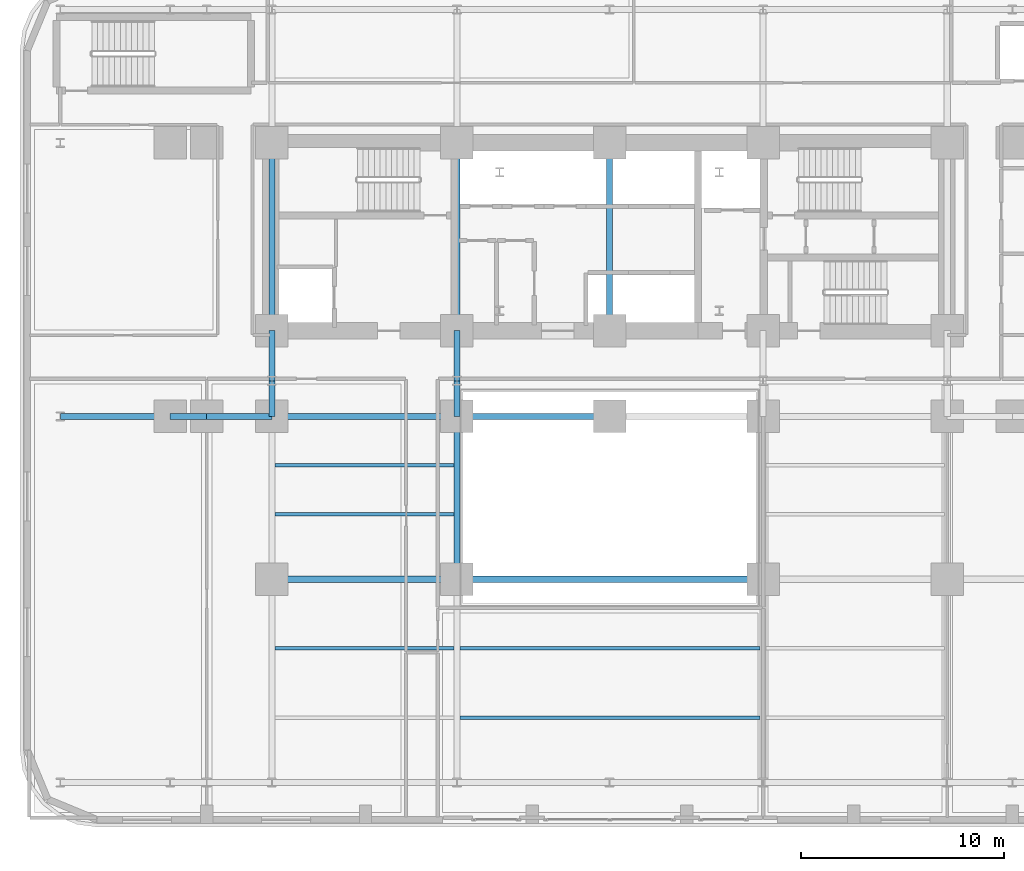
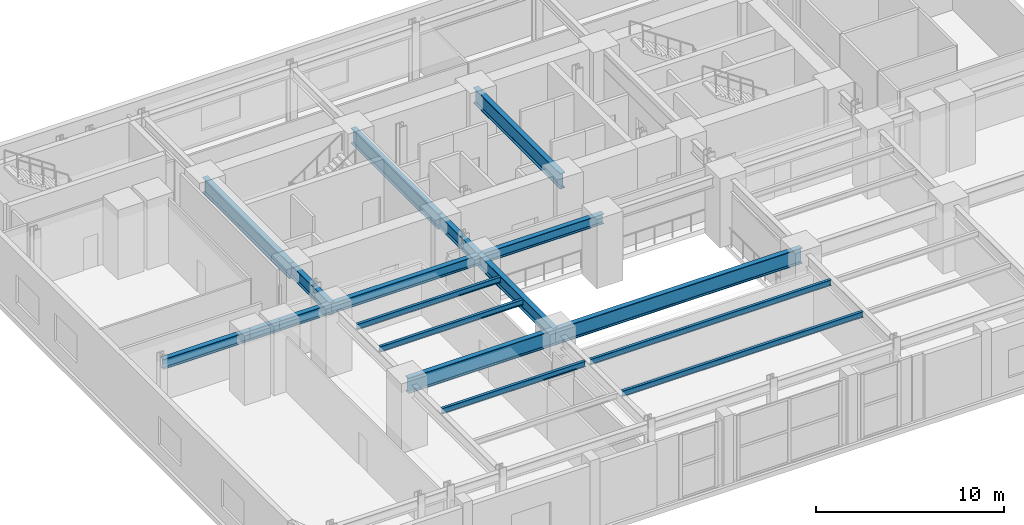
# One storey, part 3 of 14: 20 beams.
"""IFC4 building model written with IfcOpenShell, lengths in metres."""

import ifcopenshell
import ifcopenshell.guid

model = None  # the IFC model being written
_history = None  # IfcOwnerHistory: only IFC2X3 demands one
_inside = {}  # id of a spatial element -> (the spatial element, [elements in it])
_under = {}  # id of a project, library or spatial element -> (it, [spatial elements below it])
_declared = {}  # id of a project -> (the project, [libraries it declares])
_typed = {}  # id of a type object -> (the type object, [elements of that type])
_made_of = {}  # id of a material, layer set ... -> (it, [elements and type objects made of it])


def new_model(schema):
    """Start an empty IFC model of exactly this schema.

    Asked for "IFC4X3", IfcOpenShell would pick the latest addendum, in which some entities
    have other attributes; the version numbers below select the first issue.
    IFC2X3 requires an IfcOwnerHistory on every rooted entity: one is made here for all.
    """
    global model, _history
    if schema == "IFC4X3":
        model = ifcopenshell.file(schema_version=(4, 3, 0, 0))
    else:
        model = ifcopenshell.file(schema=schema)
    _inside.clear()
    _under.clear()
    _declared.clear()
    _typed.clear()
    _made_of.clear()
    _history = None
    if model.schema == "IFC2X3":
        org = make("IfcOrganization", Name="unknown")
        user = make(
            "IfcPersonAndOrganization",
            ThePerson=make("IfcPerson", FamilyName="unknown"),
            TheOrganization=org,
        )
        app = make(
            "IfcApplication",
            ApplicationDeveloper=org,
            Version="unknown",
            ApplicationFullName="unknown",
            ApplicationIdentifier="unknown",
        )
        _history = make(
            "IfcOwnerHistory",
            OwningUser=user,
            OwningApplication=app,
            ChangeAction="ADDED",
            CreationDate=0,
        )
    return model


def make(cls, **values):
    """One entity of the class cls with the attributes given. An attribute that is None is left unset."""
    return model.create_entity(
        cls, **{name: value for name, value in values.items() if value is not None}
    )


def rooted(cls, **values):
    """An entity with a GlobalId (a new one), such as an element, a storey or a relation."""
    return make(cls, GlobalId=ifcopenshell.guid.new(), OwnerHistory=_history, **values)


def si_unit(unit_type, name, prefix=None):
    """IfcSIUnit, for example si_unit("LENGTHUNIT", "METRE", prefix="MILLI")."""
    return make("IfcSIUnit", UnitType=unit_type, Prefix=prefix, Name=name)


def assignment(units):
    """IfcUnitAssignment: the units of a project."""
    return None if units is None else make("IfcUnitAssignment", Units=units)


def point(xyz):
    """IfcCartesianPoint."""
    return None if xyz is None else make("IfcCartesianPoint", Coordinates=xyz)


def direction(xyz):
    """IfcDirection."""
    return None if xyz is None else make("IfcDirection", DirectionRatios=xyz)


def frame(location, z_axis=None, x_axis=None):
    """IfcAxis2Placement3D, a coordinate frame: its origin and axes. An axis left out is left unset."""
    return make(
        "IfcAxis2Placement3D",
        Location=point(location),
        Axis=direction(z_axis),
        RefDirection=direction(x_axis),
    )


def frame_2d(location, x_axis=None):
    """IfcAxis2Placement2D, a coordinate frame in the plane: its origin and x axis."""
    return make(
        "IfcAxis2Placement2D", Location=point(location), RefDirection=direction(x_axis)
    )


def origin():
    """The frame at (0, 0, 0) with its axes left unset."""
    return frame((0.0, 0.0, 0.0))


def origin_2d():
    """The frame at (0, 0) in the plane with its x axis left unset."""
    return frame_2d((0.0, 0.0))


def place(relative_to, where):
    """IfcLocalPlacement: puts the frame where relative to a parent placement (None: the world)."""
    return make(
        "IfcLocalPlacement", PlacementRelTo=relative_to, RelativePlacement=where
    )


def context(
    kind, dimensions, precision=None, world=None, true_north=None, identifier=None
):
    """IfcGeometricRepresentationContext, for example the 3D "Model" context."""
    return make(
        "IfcGeometricRepresentationContext",
        ContextIdentifier=identifier,
        ContextType=kind,
        CoordinateSpaceDimension=dimensions,
        Precision=precision,
        WorldCoordinateSystem=world,
        TrueNorth=true_north,
    )


def subcontext(parent, identifier, kind, view, scale=None):
    """IfcGeometricRepresentationSubContext, for example "Body" below "Model"."""
    return make(
        "IfcGeometricRepresentationSubContext",
        ContextIdentifier=identifier,
        ContextType=kind,
        ParentContext=parent,
        TargetScale=scale,
        TargetView=view,
    )


def project(units=None, contexts=None):
    """IfcProject with its units and contexts."""
    return rooted(
        "IfcProject",
        Name="project",
        RepresentationContexts=contexts,
        UnitsInContext=assignment(units),
    )


def spatial(cls, under=None, at=None, **own):
    """A site, building, storey or space (cls), placed at a placement, below another one or the project."""
    s = rooted(cls, ObjectPlacement=at, **own)
    if under is not None:
        _under.setdefault(under.id(), (under, []))[1].append(s)
    return s


def profile(cls, at=None, kind="AREA", **sizes):
    """A parametric profile (cls). Its sizes go by their IFC names, for example OverallWidth=200.0."""
    return make(cls, ProfileType=kind, Position=at, **sizes)


def i_section(**sizes):
    """IfcIShapeProfileDef."""
    return profile("IfcIShapeProfileDef", **sizes)


def extrude(swept, where, along, depth):
    """IfcExtrudedAreaSolid: the profile swept, set in the frame where, extruded along a direction by depth."""
    return make(
        "IfcExtrudedAreaSolid",
        SweptArea=swept,
        Position=where,
        ExtrudedDirection=direction(along),
        Depth=depth,
    )


def shape(context_of_items, identifier, shape_type, items):
    """IfcShapeRepresentation: the items that make up one representation, for example the "Body"."""
    return make(
        "IfcShapeRepresentation",
        ContextOfItems=context_of_items,
        RepresentationIdentifier=identifier,
        RepresentationType=shape_type,
        Items=items,
    )


def material(Name=None, Category=None):
    """IfcMaterial."""
    return make("IfcMaterial", Name=Name, Category=Category)


def material_profile(
    of_material, cross_section, Name=None, Category=None, Priority=None
):
    """IfcMaterialProfile: a cross section and its material."""
    return make(
        "IfcMaterialProfile",
        Name=Name,
        Material=of_material,
        Profile=cross_section,
        Priority=Priority,
        Category=Category,
    )


def profile_set(profiles, Name=None, composite=None):
    """IfcMaterialProfileSet."""
    return make(
        "IfcMaterialProfileSet",
        Name=Name,
        MaterialProfiles=profiles,
        CompositeProfile=composite,
    )


def made_of(thing, what):
    """Note that an element or type object is made of a material, layer set ...; save() writes the relation."""
    if what is not None:
        _made_of.setdefault(what.id(), (what, []))[1].append(thing)
    return thing


def type_object(cls, material=None, **own):
    """A type object (cls), such as IfcWallType, which elements share."""
    return made_of(rooted(cls, **own), material)


def element(
    cls,
    number,
    at=None,
    inside=None,
    cuts=None,
    type_object=None,
    material=None,
    context=None,
    identifier="Body",
    shape_type=None,
    held_by="IfcProductDefinitionShape",
    body=None,
    shapes=None,
    **own,
):
    """One element of the class cls, such as IfcWall. Its Tag is "e" and its number.

    at: its placement. inside: the storey or other place that contains it. cuts: it is an
    opening in that element (IfcRelVoidsElement). A single representation is given by context,
    identifier, shape_type and body (its items); several are given by shapes. held_by: the class
    of the entity that holds the representations. save() writes the other relations.
    """
    e = rooted(cls, Tag="e%d" % number, ObjectPlacement=at, **own)
    if body is not None:
        shapes = [shape(context, identifier, shape_type, body)]
    if shapes is not None:
        e.Representation = make(held_by, Representations=shapes)
    if inside is not None:
        _inside.setdefault(inside.id(), (inside, []))[1].append(e)
    if cuts is not None:
        rooted(
            "IfcRelVoidsElement", RelatingBuildingElement=cuts, RelatedOpeningElement=e
        )
    if type_object is not None:
        _typed.setdefault(type_object.id(), (type_object, []))[1].append(e)
    return made_of(e, material)


def aggregate(whole, parts):
    """IfcRelAggregates: a whole, such as a stair, and the parts it consists of."""
    return rooted("IfcRelAggregates", RelatingObject=whole, RelatedObjects=parts)


def save(model, path):
    """Write the relations noted so far, then the file.

    IfcRelAggregates (storeys below a building ...), IfcRelContainedInSpatialStructure (elements
    in a storey), IfcRelDefinesByType, IfcRelAssociatesMaterial and IfcRelDeclares: one each for
    every whole, place, type object, material and project.
    """
    for whole, parts in _under.values():
        aggregate(whole, parts)
    for where, things in _inside.values():
        rooted(
            "IfcRelContainedInSpatialStructure",
            RelatedElements=things,
            RelatingStructure=where,
        )
    for kind, things in _typed.values():
        rooted("IfcRelDefinesByType", RelatedObjects=things, RelatingType=kind)
    for what, things in _made_of.values():
        rooted("IfcRelAssociatesMaterial", RelatedObjects=things, RelatingMaterial=what)
    for by, libraries in _declared.values():
        rooted("IfcRelDeclares", RelatingContext=by, RelatedDefinitions=libraries)
    model.write(path)


model = new_model("IFC4")

# Units and contexts
model_context = context("Model", 3, precision=1e-05, world=origin(), true_north=direction((0.0, 1.0)))
body_context = subcontext(model_context, "Body", "Model", "MODEL_VIEW")
ifc_project = project(units=[si_unit("LENGTHUNIT", "METRE"), si_unit("AREAUNIT", "SQUARE_METRE"), si_unit("VOLUMEUNIT", "CUBIC_METRE"), si_unit("PLANEANGLEUNIT", "RADIAN"), si_unit("MASSUNIT", "GRAM", prefix="KILO")], contexts=[model_context])

# Site, building, storey
site_placement = place(None, origin())
site = spatial("IfcSite", under=ifc_project, at=site_placement, CompositionType="ELEMENT")
building_placement = place(site_placement, origin())
building = spatial("IfcBuilding", under=site, at=building_placement, Name="Zarnavel Station Tower", CompositionType="ELEMENT")
storey_placement = place(building_placement, frame((0.0, 0.0, 10.39990234375)))
storey = spatial("IfcBuildingStorey", under=building, at=storey_placement, Name="L03", CompositionType="ELEMENT", Elevation=10.39990234375)

# Beams
ifc_material_1 = material(Name="Steel S355J2", Category="steel")
ifc_material_profile_1 = material_profile(ifc_material_1, i_section(OverallWidth=0.300048828125, OverallDepth=0.64990234375, WebThickness=0.01611328125, FlangeThickness=0.031005859375, FilletRadius=0.027099609375, at=origin_2d()), Name="HEB650")
ifc_profile_set_1 = profile_set([ifc_material_profile_1], Name="Steel S355J2")
beam_type_1 = type_object("IfcBeamType", Name="FG_HEB650", PredefinedType="USERDEFINED", material=ifc_profile_set_1)
beam_1_placement = place(storey_placement, frame((1.800048828125, 23.60009765625, 3.875), z_axis=(1.0, 0.0, 0.0), x_axis=(0.0, 1.0, 0.0)))
element("IfcBeam", 1, at=beam_1_placement, inside=storey, type_object=beam_type_1, Name="L03 EW Frame Girder 2-1", ObjectType="GIRDER", PredefinedType="USERDEFINED", context=body_context, shape_type="SweptSolid", body=[
    extrude(i_section(OverallWidth=0.300048828125, OverallDepth=0.64990234375, WebThickness=0.01611328125, FlangeThickness=0.031005859375, FilletRadius=0.027099609375, at=origin_2d()), origin(), (0.0, 0.0, 1.0), 5.39990234375),
])
beam_2_placement = place(storey_placement, frame((7.199951171875, 23.60009765625, 3.875), z_axis=(1.0, 0.0, 0.0), x_axis=(0.0, 1.0, 0.0)))
element("IfcBeam", 2, at=beam_2_placement, inside=storey, type_object=beam_type_1, Name="L03 EW Frame Girder 2-2", ObjectType="GIRDER", PredefinedType="USERDEFINED", context=body_context, shape_type="SweptSolid", body=[
    extrude(i_section(OverallWidth=0.300048828125, OverallDepth=0.64990234375, WebThickness=0.01611328125, FlangeThickness=0.031005859375, FilletRadius=0.027099609375, at=origin_2d()), origin(), (0.0, 0.0, 1.0), 1.800048828125),
])
beam_3_placement = place(storey_placement, frame((9.0, 23.60009765625, 3.875), z_axis=(1.0, 0.0, 0.0), x_axis=(0.0, 1.0, 0.0)))
element("IfcBeam", 3, at=beam_3_placement, inside=storey, type_object=beam_type_1, Name="L03 EW Frame Girder 2-3", ObjectType="GIRDER", PredefinedType="USERDEFINED", context=body_context, shape_type="SweptSolid", body=[
    extrude(i_section(OverallWidth=0.300048828125, OverallDepth=0.64990234375, WebThickness=0.01611328125, FlangeThickness=0.031005859375, FilletRadius=0.027099609375, at=origin_2d()), origin(), (0.0, 0.0, 1.0), 3.199951171875),
])
beam_4_placement = place(storey_placement, frame((12.199951171875, 23.60009765625, 3.875), z_axis=(1.0, 0.0, 0.0), x_axis=(0.0, 1.0, 0.0)))
element("IfcBeam", 4, at=beam_4_placement, inside=storey, type_object=beam_type_1, Name="L03 EW Frame Girder 2-4", ObjectType="GIRDER", PredefinedType="USERDEFINED", context=body_context, shape_type="SweptSolid", body=[
    extrude(i_section(OverallWidth=0.300048828125, OverallDepth=0.64990234375, WebThickness=0.01611328125, FlangeThickness=0.031005859375, FilletRadius=0.027099609375, at=origin_2d()), origin(), (0.0, 0.0, 1.0), 9.10009765625),
])
beam_5_placement = place(storey_placement, frame((21.300048828125, 23.60009765625, 3.875), z_axis=(1.0, 0.0, 0.0), x_axis=(0.0, 1.0, 0.0)))
element("IfcBeam", 5, at=beam_5_placement, inside=storey, type_object=beam_type_1, Name="L03 EW Frame Girder 2-5", ObjectType="GIRDER", PredefinedType="USERDEFINED", context=body_context, shape_type="SweptSolid", body=[
    extrude(i_section(OverallWidth=0.300048828125, OverallDepth=0.64990234375, WebThickness=0.01611328125, FlangeThickness=0.031005859375, FilletRadius=0.027099609375, at=origin_2d()), origin(), (0.0, 0.0, 1.0), 7.5),
])
ifc_material_2 = material(Name="Steel S460M", Category="steel")
ifc_material_profile_2 = material_profile(ifc_material_2, i_section(OverallWidth=0.302978515625, OverallDepth=0.81396484375, WebThickness=0.02099609375, FlangeThickness=0.0400390625, FilletRadius=0.030029296875, at=origin_2d()), Name="HEM800")
ifc_profile_set_2 = profile_set([ifc_material_profile_2], Name="Steel S460M")
beam_type_2 = type_object("IfcBeamType", Name="FG_HEM800", PredefinedType="USERDEFINED", material=ifc_profile_set_2)
beam_6_placement = place(storey_placement, frame((12.199951171875, 23.60009765625, 3.793212890625), z_axis=(0.0, 1.0, 0.0), x_axis=(-1.0, 0.0, 0.0)))
element("IfcBeam", 6, at=beam_6_placement, inside=storey, type_object=beam_type_2, Name="L03 NS Girder Spine 1", ObjectType="GIRDER", PredefinedType="USERDEFINED", context=body_context, shape_type="SweptSolid", body=[
    extrude(i_section(OverallWidth=0.302978515625, OverallDepth=0.81396484375, WebThickness=0.02099609375, FlangeThickness=0.0400390625, FilletRadius=0.030029296875, at=origin_2d()), origin(), (0.0, 0.0, 1.0), 1.75),
])
beam_7_placement = place(storey_placement, frame((12.199951171875, 25.35009765625, 3.793212890625), z_axis=(0.0, 1.0, 0.0), x_axis=(-1.0, 0.0, 0.0)))
element("IfcBeam", 7, at=beam_7_placement, inside=storey, type_object=beam_type_2, Name="L03 NS Girder Core 1", ObjectType="GIRDER", PredefinedType="USERDEFINED", context=body_context, shape_type="SweptSolid", body=[
    extrude(i_section(OverallWidth=0.302978515625, OverallDepth=0.81396484375, WebThickness=0.02099609375, FlangeThickness=0.0400390625, FilletRadius=0.030029296875, at=origin_2d()), origin(), (0.0, 0.0, 1.0), 2.469970703125),
])
beam_8_placement = place(storey_placement, frame((21.300048828125, 15.60009765625, 3.793212890625), z_axis=(0.0, 1.0, 0.0), x_axis=(-1.0, 0.0, 0.0)))
element("IfcBeam", 8, at=beam_8_placement, inside=storey, type_object=beam_type_2, Name="L03 NS Girder Mid 2", ObjectType="GIRDER", PredefinedType="USERDEFINED", context=body_context, shape_type="SweptSolid", body=[
    extrude(i_section(OverallWidth=0.302978515625, OverallDepth=0.81396484375, WebThickness=0.02099609375, FlangeThickness=0.0400390625, FilletRadius=0.030029296875, at=origin_2d()), origin(), (0.0, 0.0, 1.0), 8.0),
])
beam_9_placement = place(storey_placement, frame((21.300048828125, 23.60009765625, 3.793212890625), z_axis=(0.0, 1.0, 0.0), x_axis=(-1.0, 0.0, 0.0)))
element("IfcBeam", 9, at=beam_9_placement, inside=storey, type_object=beam_type_2, Name="L03 NS Girder Spine 2", ObjectType="GIRDER", PredefinedType="USERDEFINED", context=body_context, shape_type="SweptSolid", body=[
    extrude(i_section(OverallWidth=0.302978515625, OverallDepth=0.81396484375, WebThickness=0.02099609375, FlangeThickness=0.0400390625, FilletRadius=0.030029296875, at=origin_2d()), origin(), (0.0, 0.0, 1.0), 1.75),
])
beam_10_placement = place(storey_placement, frame((21.300048828125, 25.35009765625, 3.793212890625), z_axis=(0.0, 1.0, 0.0), x_axis=(-1.0, 0.0, 0.0)))
element("IfcBeam", 10, at=beam_10_placement, inside=storey, type_object=beam_type_2, Name="L03 NS Girder Core 2", ObjectType="GIRDER", PredefinedType="USERDEFINED", context=body_context, shape_type="SweptSolid", body=[
    extrude(i_section(OverallWidth=0.302978515625, OverallDepth=0.81396484375, WebThickness=0.02099609375, FlangeThickness=0.0400390625, FilletRadius=0.030029296875, at=origin_2d()), origin(), (0.0, 0.0, 1.0), 2.469970703125),
])
ifc_material_3 = material(Name="Steel S355J2", Category="steel")
ifc_material_profile_3 = material_profile(ifc_material_3, i_section(OverallWidth=0.169921875, OverallDepth=0.360107421875, WebThickness=0.008056640625, FlangeThickness=0.0126953125, FilletRadius=0.01806640625, at=origin_2d()), Name="IPE360")
ifc_profile_set_3 = profile_set([ifc_material_profile_3], Name="Steel S355J2")
beam_type_3 = type_object("IfcBeamType", Name="FJ_IPE360", PredefinedType="JOIST", material=ifc_profile_set_3)
beam_11_placement = place(storey_placement, frame((21.445068359375, 8.800048828125, 4.02001953125), z_axis=(1.0, 0.0, 0.0), x_axis=(0.0, 1.0, 0.0)))
element("IfcBeam", 11, at=beam_11_placement, inside=storey, type_object=beam_type_3, Name="L03 Floor Joist M1", PredefinedType="JOIST", context=body_context, shape_type="SweptSolid", body=[
    extrude(i_section(OverallWidth=0.169921875, OverallDepth=0.360107421875, WebThickness=0.008056640625, FlangeThickness=0.0126953125, FilletRadius=0.01806640625, at=origin_2d()), origin(), (0.0, 0.0, 1.0), 14.760009765625),
])
beam_12_placement = place(storey_placement, frame((12.344970703125, 12.199951171875, 4.02001953125), z_axis=(1.0, 0.0, 0.0), x_axis=(0.0, 1.0, 0.0)))
element("IfcBeam", 12, at=beam_12_placement, inside=storey, type_object=beam_type_3, Name="L03 Floor Joist W2", PredefinedType="JOIST", context=body_context, shape_type="SweptSolid", body=[
    extrude(i_section(OverallWidth=0.169921875, OverallDepth=0.360107421875, WebThickness=0.008056640625, FlangeThickness=0.0126953125, FilletRadius=0.01806640625, at=origin_2d()), origin(), (0.0, 0.0, 1.0), 8.81005859375),
])
beam_13_placement = place(storey_placement, frame((21.445068359375, 12.199951171875, 4.02001953125), z_axis=(1.0, 0.0, 0.0), x_axis=(0.0, 1.0, 0.0)))
element("IfcBeam", 13, at=beam_13_placement, inside=storey, type_object=beam_type_3, Name="L03 Floor Joist M2", PredefinedType="JOIST", context=body_context, shape_type="SweptSolid", body=[
    extrude(i_section(OverallWidth=0.169921875, OverallDepth=0.360107421875, WebThickness=0.008056640625, FlangeThickness=0.0126953125, FilletRadius=0.01806640625, at=origin_2d()), origin(), (0.0, 0.0, 1.0), 14.760009765625),
])
for number, where, z_axis, x_axis, name in (
    (14, (12.344970703125, 18.800048828125, 4.02001953125), (1.0, 0.0, 0.0), (0.0, 1.0, 0.0), "L03 West Joist 3"),
    (15, (12.344970703125, 21.199951171875, 4.02001953125), (1.0, 0.0, 0.0), (0.0, 1.0, 0.0), "L03 West Joist 4"),
):
    element("IfcBeam", number, at=place(storey_placement, frame(where, z_axis=z_axis, x_axis=x_axis)), inside=storey, type_object=beam_type_3, Name=name, PredefinedType="JOIST", context=body_context, shape_type="SweptSolid", body=[
        extrude(i_section(OverallWidth=0.169921875, OverallDepth=0.360107421875, WebThickness=0.008056640625, FlangeThickness=0.0126953125, FilletRadius=0.01806640625, at=origin_2d()), origin(), (0.0, 0.0, 1.0), 8.81005859375),
    ])
ifc_material_4 = material(Name="Steel S460M", Category="steel")
ifc_material_profile_4 = material_profile(ifc_material_4, i_section(OverallWidth=0.302001953125, OverallDepth=1.008056640625, WebThickness=0.02099609375, FlangeThickness=0.0400390625, FilletRadius=0.030029296875, at=origin_2d()), Name="HEM1000")
ifc_profile_set_4 = profile_set([ifc_material_profile_4], Name="Steel S460M")
beam_type_4 = type_object("IfcBeamType", Name="TG_HEM1000", PredefinedType="USERDEFINED", material=ifc_profile_set_4)
for number, where, z_axis, x_axis, name in (
    (16, (12.199951171875, 27.820068359375, 3.696044921875), (0.0, 1.0, 0.0), (-1.0, 0.0, 0.0), "L03 Core Spine Coupling Girder 1"),
    (17, (21.300048828125, 27.820068359375, 3.696044921875), (0.0, 1.0, 0.0), (-1.0, 0.0, 0.0), "L03 Core Spine Coupling Girder 2"),
    (18, (28.800048828125, 27.820068359375, 3.696044921875), (0.0, 1.0, 0.0), (-1.0, 0.0, 0.0), "L03 Core Spine Coupling Girder 3"),
):
    element("IfcBeam", number, at=place(storey_placement, frame(where, z_axis=z_axis, x_axis=x_axis)), inside=storey, type_object=beam_type_4, Name=name, ObjectType="GIRDER", PredefinedType="USERDEFINED", context=body_context, shape_type="SweptSolid", body=[
        extrude(i_section(OverallWidth=0.302001953125, OverallDepth=1.008056640625, WebThickness=0.02099609375, FlangeThickness=0.0400390625, FilletRadius=0.030029296875, at=origin_2d()), origin(), (0.0, 0.0, 1.0), 9.22998046875),
    ])
beam_14_placement = place(storey_placement, frame((12.199951171875, 15.60009765625, 3.696044921875), z_axis=(1.0, 0.0, 0.0), x_axis=(0.0, 1.0, 0.0)))
element("IfcBeam", 19, at=beam_14_placement, inside=storey, type_object=beam_type_4, Name="L03 West Hall Girder", ObjectType="GIRDER", PredefinedType="USERDEFINED", context=body_context, shape_type="SweptSolid", body=[
    extrude(i_section(OverallWidth=0.302001953125, OverallDepth=1.008056640625, WebThickness=0.02099609375, FlangeThickness=0.0400390625, FilletRadius=0.030029296875, at=origin_2d()), origin(), (0.0, 0.0, 1.0), 9.10009765625),
])
beam_15_placement = place(storey_placement, frame((21.300048828125, 15.60009765625, 3.696044921875), z_axis=(1.0, 0.0, 0.0), x_axis=(0.0, 1.0, 0.0)))
element("IfcBeam", 20, at=beam_15_placement, inside=storey, type_object=beam_type_4, Name="L03 Concourse Long-Span Girder", ObjectType="GIRDER", PredefinedType="USERDEFINED", context=body_context, shape_type="SweptSolid", body=[
    extrude(i_section(OverallWidth=0.302001953125, OverallDepth=1.008056640625, WebThickness=0.02099609375, FlangeThickness=0.0400390625, FilletRadius=0.030029296875, at=origin_2d()), origin(), (0.0, 0.0, 1.0), 15.050048828125),
])

save(model, "model.ifc")
